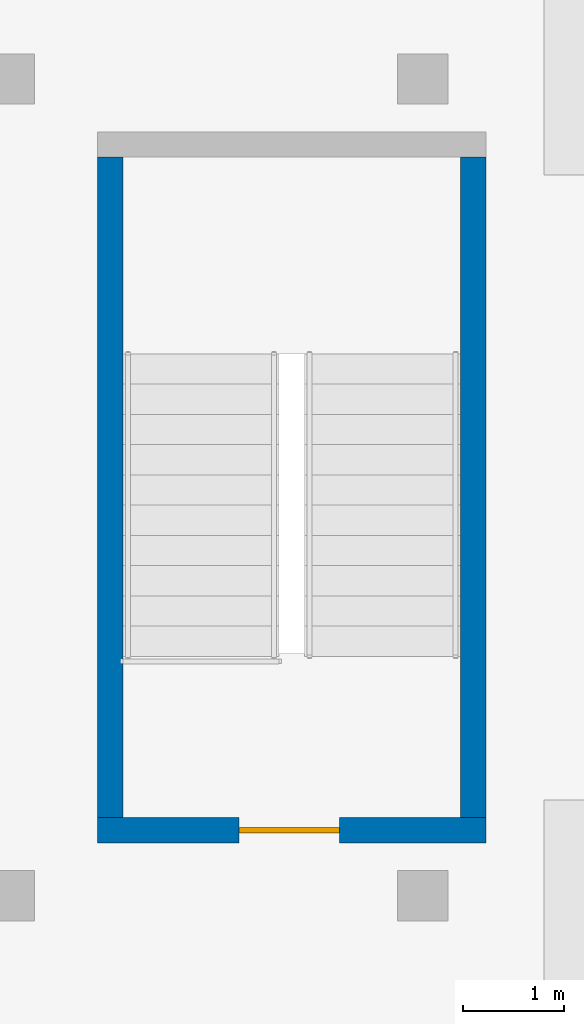
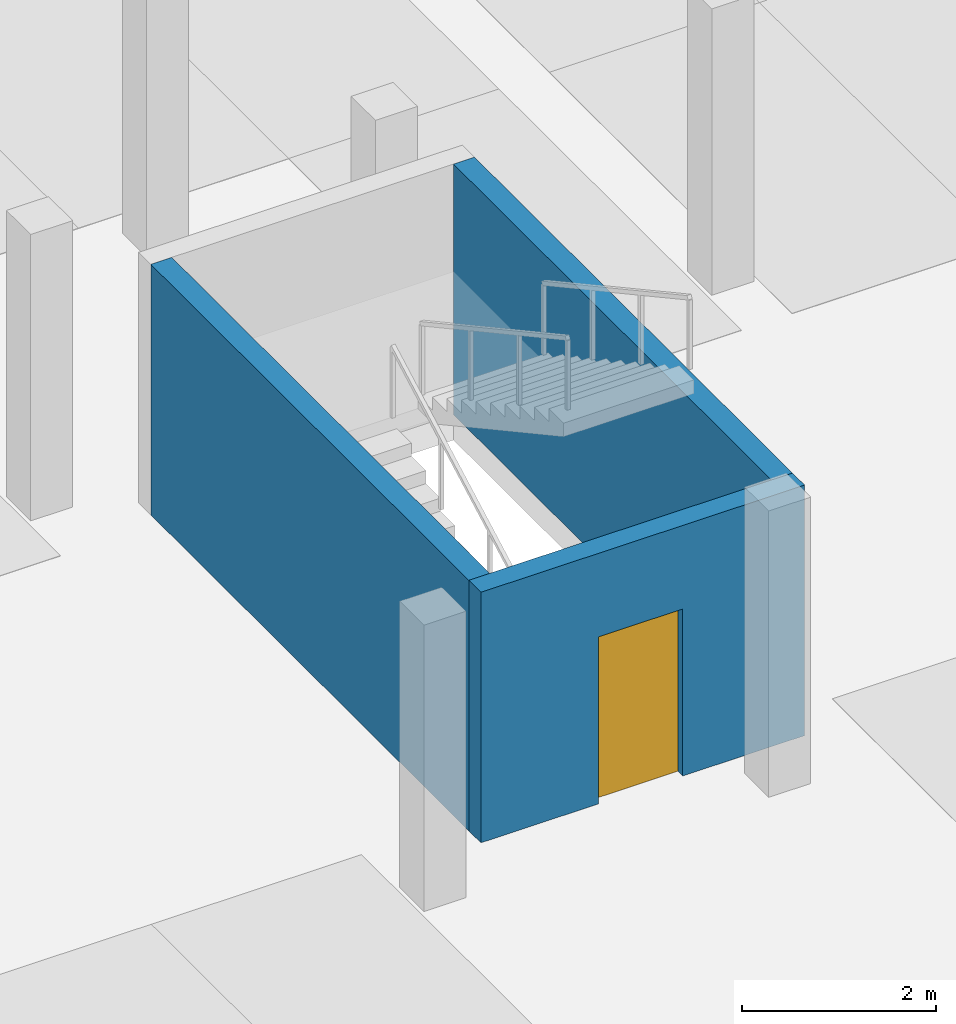
# One storey, part 11 of 14: 3 walls, 1 door, 1 opening.
"""IFC4 building model written with IfcOpenShell, lengths in metres."""

from ifc_helpers import new_model, si_unit, direction, frame, frame_2d, origin, place, context, subcontext, project, spatial, rectangle, extrude, material, layer, layer_set, type_object, element, fill, save


model = new_model("IFC4")

# Units and contexts
model_context = context("Model", 3, precision=1e-05, world=origin(), true_north=direction((0.0, 1.0)))
body_context = subcontext(model_context, "Body", "Model", "MODEL_VIEW")
ifc_project = project(units=[si_unit("LENGTHUNIT", "METRE"), si_unit("AREAUNIT", "SQUARE_METRE"), si_unit("VOLUMEUNIT", "CUBIC_METRE"), si_unit("PLANEANGLEUNIT", "RADIAN"), si_unit("MASSUNIT", "GRAM", prefix="KILO")], contexts=[model_context])

# Site, building, storey
site_placement = place(None, origin())
site = spatial("IfcSite", under=ifc_project, at=site_placement, CompositionType="ELEMENT")
building_placement = place(site_placement, origin())
building = spatial("IfcBuilding", under=site, at=building_placement, Name="Torre Triforio", CompositionType="ELEMENT")
storey_placement = place(building_placement, frame((0.0, 0.0, -3.60009765625)))
storey = spatial("IfcBuildingStorey", under=building, at=storey_placement, Name="B1", CompositionType="ELEMENT", Elevation=-3.60009765625)

# Wall, opening, door
ifc_material_1 = material(Name="Concrete C40", Category="concrete")
ifc_layer = layer(ifc_material_1, 0.25)
ifc_layer_set = layer_set([ifc_layer], Name="Concrete C40")
wall_type = type_object("IfcWallType", Name="Stair enclosure wall 250 EI 120", PredefinedType="STANDARD", material=ifc_layer_set)
wall_placement = place(storey_placement, frame((73.77490234375, 24.949951171875, 0.0), z_axis=(0.0, 0.0, 1.0), x_axis=(1.0, 0.0, 0.0)))
wall = element("IfcWall", 1, at=wall_placement, inside=storey, type_object=wall_type, Name="Stair enclosure wall B1 013", PredefinedType="STANDARD", context=body_context, shape_type="SweptSolid", body=[
    extrude(rectangle(XDim=3.85009765625, YDim=0.25, at=frame_2d((1.925048828125, 0.0))), origin(), (0.0, 0.0, 1.0), 3.150146484375),
])
opening_placement = place(wall_placement, frame((1.39990234375, 0.0, 0.0)))
opening = element("IfcOpeningElement", 2, at=opening_placement, cuts=wall, Name="Opening BS1-04", PredefinedType="OPENING", context=body_context, shape_type="SweptSolid", body=[
    extrude(rectangle(XDim=1.0, YDim=2.10009765625, at=frame_2d((0.5, 1.050048828125))), frame((0.0, 0.135009765625, 0.0), z_axis=(0.0, -1.0, 0.0), x_axis=(1.0, 0.0, 0.0)), (0.0, 0.0, 1.0), 0.27001953125),
])
ifc_material_2 = material(Name="Hollow metal fire door leaf")
door_type = type_object("IfcDoorType", Name="Stair door 1000 x 2100 EI 90", OperationType="NOTDEFINED", PredefinedType="DOOR", material=ifc_material_2)
door_placement = place(opening_placement, origin())
door = element("IfcDoor", 3, at=door_placement, inside=storey, type_object=door_type, Name="Door BS1-04", OperationType="SINGLE_SWING_LEFT", OverallHeight=2.10009765625, OverallWidth=1.0, PredefinedType="DOOR", context=body_context, shape_type="SweptSolid", body=[
    extrude(rectangle(XDim=1.0, YDim=2.10009765625, at=frame_2d((0.5, 1.050048828125))), frame((0.0, 0.02490234375, 0.0), z_axis=(0.0, -1.0, 0.0), x_axis=(1.0, 0.0, 0.0)), (0.0, 0.0, 1.0), 0.050048828125),
])
fill(opening, door)

# Walls
for number, where, z_axis, x_axis, name in (
    (4, (73.89990234375, 25.074951171875, 0.0), (0.0, 0.0, 1.0), (0.0, 1.0, 0.0), "Stair enclosure wall B1 015"),
    (5, (77.5, 25.074951171875, 0.0), (0.0, 0.0, 1.0), (0.0, 1.0, 0.0), "Stair enclosure wall B1 016"),
):
    element("IfcWall", number, at=place(storey_placement, frame(where, z_axis=z_axis, x_axis=x_axis)), inside=storey, type_object=wall_type, Name=name, PredefinedType="STANDARD", context=body_context, shape_type="SweptSolid", body=[
        extrude(rectangle(XDim=6.550048828125, YDim=0.25, at=frame_2d((3.27490234375, 0.0))), origin(), (0.0, 0.0, 1.0), 3.150146484375),
    ])

save(model, "model.ifc")
